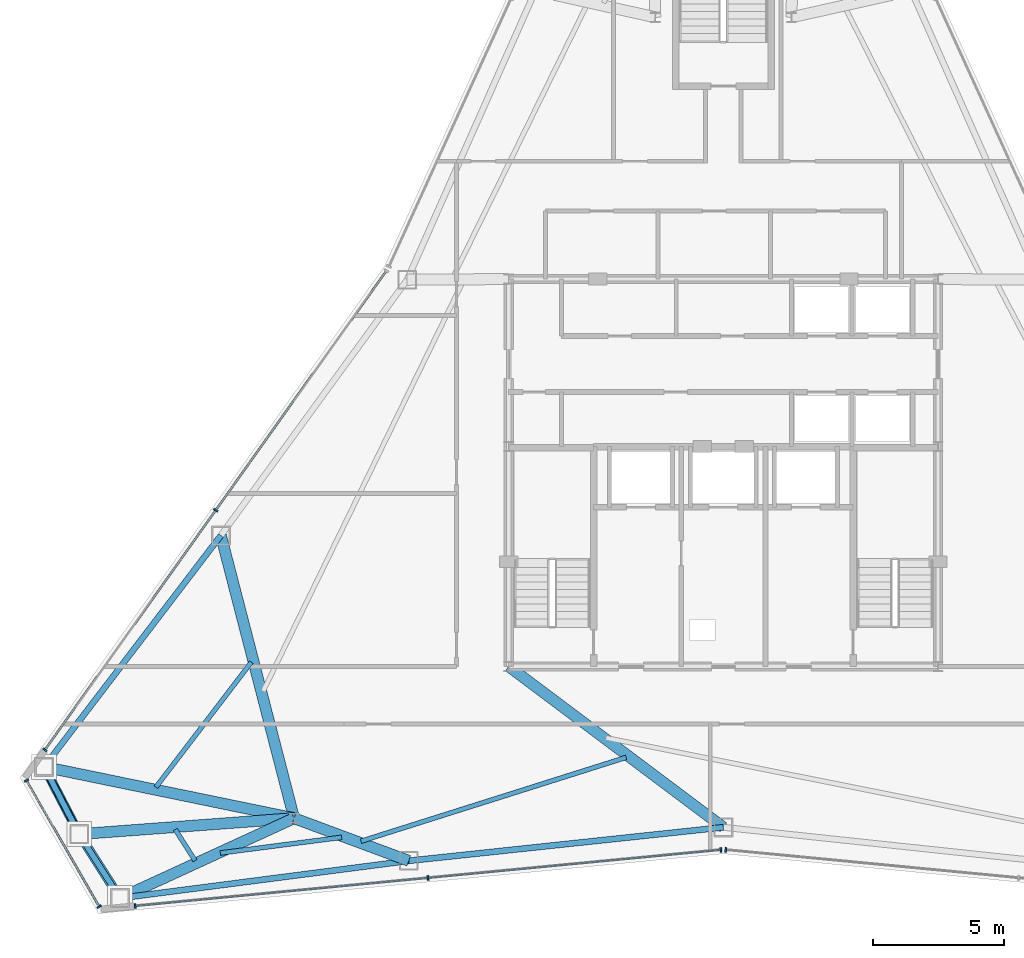
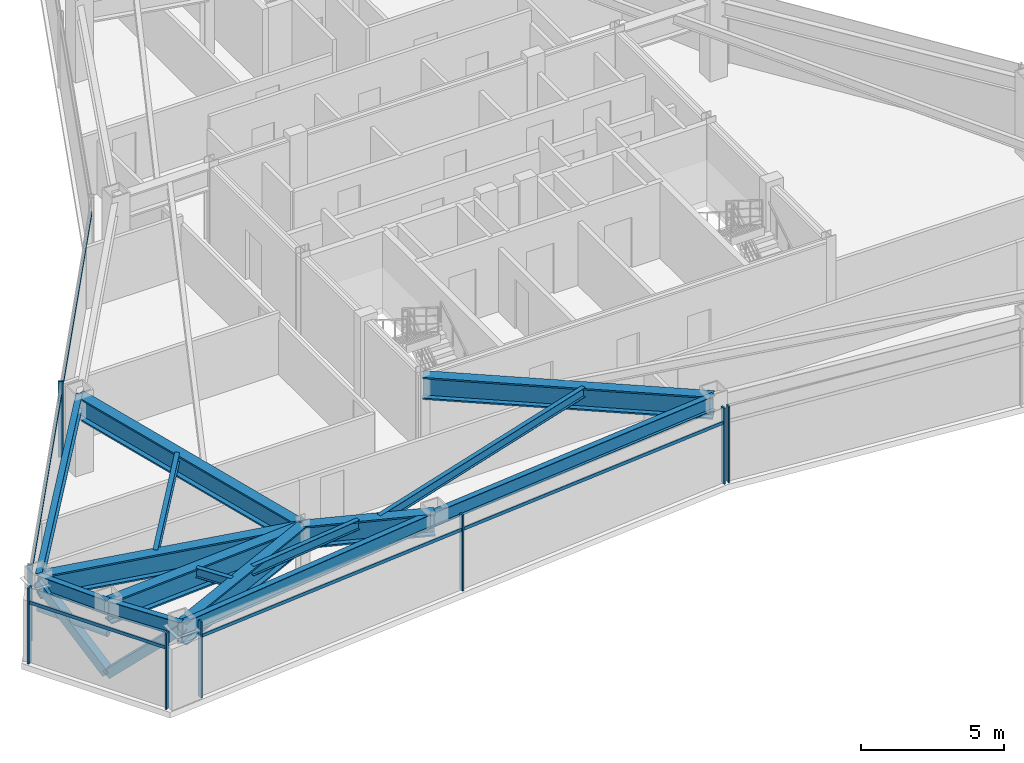
# One storey, part 3 of 12: 15 beams, 14 members, 4 elements without a shape of their own.
"""IFC4 building model written with IfcOpenShell, lengths in metres."""

from ifc_helpers import new_model, si_unit, direction, frame, origin, origin_2d, place, context, subcontext, project, spatial, rectangle, hollow_rectangle, hollow_circle, i_section, extrude, source, transform, mapped, material, layer, layer_set, material_profile, profile_set, type_object, type_shapes, element, aggregate, save


model = new_model("IFC4")

# Units and contexts
model_context = context("Model", 3, precision=1e-05, world=origin(), true_north=direction((0.0, 1.0)))
body_context = subcontext(model_context, "Body", "Model", "MODEL_VIEW")
ifc_project = project(units=[si_unit("LENGTHUNIT", "METRE"), si_unit("AREAUNIT", "SQUARE_METRE"), si_unit("VOLUMEUNIT", "CUBIC_METRE"), si_unit("PLANEANGLEUNIT", "RADIAN"), si_unit("MASSUNIT", "GRAM", prefix="KILO")], contexts=[model_context])

# Site, building, storey
site_placement = place(None, origin())
site = spatial("IfcSite", under=ifc_project, at=site_placement, CompositionType="ELEMENT")
building_placement = place(site_placement, origin())
building = spatial("IfcBuilding", under=site, at=building_placement, Name="Varakhsha Concourse Tower", CompositionType="ELEMENT")
storey_placement = place(building_placement, frame((0.0, 0.0, 243.39990234375)))
storey = spatial("IfcBuildingStorey", under=building, at=storey_placement, Name="L69", CompositionType="ELEMENT", Elevation=243.39990234375)

# Beams
ifc_material_1 = material(Name="Structural Steel ASTM A992 Grade 50", Category="steel")
ifc_material_profile_1 = material_profile(ifc_material_1, i_section(OverallWidth=0.177978515625, OverallDepth=0.406982421875, WebThickness=0.008056640625, FlangeThickness=0.012939453125, at=origin_2d()), Name="W16X40")
ifc_profile_set_1 = profile_set([ifc_material_profile_1], Name="Structural Steel ASTM A992 Grade 50")
beam_type_1 = type_object("IfcBeamType", Name="BM-JST-W16X40", PredefinedType="JOIST", material=ifc_profile_set_1)
beam_1_placement = place(storey_placement, frame((21.966796875, 16.562744140625, 3.046630859375), z_axis=(-0.606952330992, -0.794738238606, 0.0), x_axis=(0.794738238606, -0.606952330992, 0.0)))
element("IfcBeam", 1, at=beam_1_placement, inside=storey, type_object=beam_type_1, Name="BM-TJST-L69-06", PredefinedType="JOIST", context=body_context, shape_type="SweptSolid", body=[
    extrude(i_section(OverallWidth=0.177978515625, OverallDepth=0.406982421875, WebThickness=0.008056640625, FlangeThickness=0.012939453125, at=origin_2d()), origin(), (0.0, 0.0, 1.0), 6.009033203125),
])
beam_2_placement = place(storey_placement, frame((19.0615234375, 10.16650390625, 3.046630859375), z_axis=(0.537325488546, -0.84337495775, 0.0), x_axis=(0.84337495775, 0.537325488546, 0.0)))
element("IfcBeam", 2, at=beam_2_placement, inside=storey, type_object=beam_type_1, Name="BM-TJST-L69-08", PredefinedType="JOIST", context=body_context, shape_type="SweptSolid", body=[
    extrude(i_section(OverallWidth=0.177978515625, OverallDepth=0.406982421875, WebThickness=0.008056640625, FlangeThickness=0.012939453125, at=origin_2d()), origin(), (0.0, 0.0, 1.0), 1.404052734375),
])
beam_3_placement = place(storey_placement, frame((20.7822265625, 9.270263671875, 3.046630859375), z_axis=(0.991739333066, 0.128269619359, 0.0), x_axis=(-0.128269619359, 0.991739333066, 0.0)))
element("IfcBeam", 3, at=beam_3_placement, inside=storey, type_object=beam_type_1, Name="BM-TJST-L69-09", PredefinedType="JOIST", context=body_context, shape_type="SweptSolid", body=[
    extrude(i_section(OverallWidth=0.177978515625, OverallDepth=0.406982421875, WebThickness=0.008056640625, FlangeThickness=0.012939453125, at=origin_2d()), origin(), (0.0, 0.0, 1.0), 4.674560546875),
])
beam_4_placement = place(storey_placement, frame((26.15771484375, 9.721923828125, 3.046630859375), z_axis=(0.953490927585, 0.301421716226, 0.0), x_axis=(-0.301421716226, 0.953490927585, 0.0)))
element("IfcBeam", 4, at=beam_4_placement, inside=storey, type_object=beam_type_1, Name="BM-TJST-L69-10", PredefinedType="JOIST", context=body_context, shape_type="SweptSolid", body=[
    extrude(i_section(OverallWidth=0.177978515625, OverallDepth=0.406982421875, WebThickness=0.008056640625, FlangeThickness=0.012939453125, at=origin_2d()), origin(), (0.0, 0.0, 1.0), 10.62353515625),
])
ifc_material_profile_2 = material_profile(ifc_material_1, i_section(OverallWidth=0.423095703125, OverallDepth=0.947998046875, WebThickness=0.0380859375, FlangeThickness=0.06396484375, at=origin_2d()), Name="W36X302")
ifc_profile_set_2 = profile_set([ifc_material_profile_2], Name="Structural Steel ASTM A992 Grade 50")
beam_type_2 = type_object("IfcBeamType", Name="BM-OUTR-W36X302", PredefinedType="USERDEFINED", material=ifc_profile_set_2)
beam_5_placement = place(storey_placement, frame((23.60009765625, 10.60009765625, 2.776123046875), z_axis=(-0.250634171989, 0.968081872484, 0.0), x_axis=(-0.968081872484, -0.250634171989, 0.0)))
element("IfcBeam", 5, at=beam_5_placement, inside=storey, type_object=beam_type_2, Name="L69 Radial Floor Girder 06", ObjectType="GIRDER", PredefinedType="USERDEFINED", context=body_context, shape_type="SweptSolid", body=[
    extrude(i_section(OverallWidth=0.423095703125, OverallDepth=0.947998046875, WebThickness=0.0380859375, FlangeThickness=0.06396484375, at=origin_2d()), origin(), (0.0, 0.0, 1.0), 11.16015625),
])
beam_6_placement = place(storey_placement, frame((23.60009765625, 10.60009765625, 2.776123046875), z_axis=(-0.979503861801, 0.201425382503, 0.0), x_axis=(-0.201425382503, -0.979503861801, 0.0)))
element("IfcBeam", 6, at=beam_6_placement, inside=storey, type_object=beam_type_2, Name="L69 Radial Floor Girder 07", ObjectType="GIRDER", PredefinedType="USERDEFINED", context=body_context, shape_type="SweptSolid", body=[
    extrude(i_section(OverallWidth=0.423095703125, OverallDepth=0.947998046875, WebThickness=0.0380859375, FlangeThickness=0.06396484375, at=origin_2d()), origin(), (0.0, 0.0, 1.0), 9.74853515625),
])
beam_7_placement = place(storey_placement, frame((23.60009765625, 10.60009765625, 2.776123046875), z_axis=(-0.997263464351, -0.073929579132, 0.0), x_axis=(0.073929579132, -0.997263464351, 0.0)))
element("IfcBeam", 7, at=beam_7_placement, inside=storey, type_object=beam_type_2, Name="L69 Radial Floor Girder 08", ObjectType="GIRDER", PredefinedType="USERDEFINED", context=body_context, shape_type="SweptSolid", body=[
    extrude(i_section(OverallWidth=0.423095703125, OverallDepth=0.947998046875, WebThickness=0.0380859375, FlangeThickness=0.06396484375, at=origin_2d()), origin(), (0.0, 0.0, 1.0), 8.232666015625),
])
beam_8_placement = place(storey_placement, frame((23.60009765625, 10.60009765625, 2.776123046875), z_axis=(-0.908783517298, -0.417267921948, 0.0), x_axis=(0.417267921948, -0.908783517298, 0.0)))
element("IfcBeam", 8, at=beam_8_placement, inside=storey, type_object=beam_type_2, Name="L69 Radial Floor Girder 09", ObjectType="GIRDER", PredefinedType="USERDEFINED", context=body_context, shape_type="SweptSolid", body=[
    extrude(i_section(OverallWidth=0.423095703125, OverallDepth=0.947998046875, WebThickness=0.0380859375, FlangeThickness=0.06396484375, at=origin_2d()), origin(), (0.0, 0.0, 1.0), 7.319580078125),
])
beam_9_placement = place(storey_placement, frame((23.60009765625, 10.60009765625, 2.776123046875), z_axis=(0.937398468599, -0.348258684125, 0.0), x_axis=(0.348258684125, 0.937398468599, 0.0)))
element("IfcBeam", 9, at=beam_9_placement, inside=storey, type_object=beam_type_2, Name="L69 Radial Floor Girder 10", ObjectType="GIRDER", PredefinedType="USERDEFINED", context=body_context, shape_type="SweptSolid", body=[
    extrude(i_section(OverallWidth=0.423095703125, OverallDepth=0.947998046875, WebThickness=0.0380859375, FlangeThickness=0.06396484375, at=origin_2d()), origin(), (0.0, 0.0, 1.0), 4.67236328125),
])
beam_10_placement = place(storey_placement, frame((31.800048828125, 16.39990234375, 2.776123046875), z_axis=(0.800105756753, -0.5998589651, 0.0), x_axis=(0.5998589651, 0.800105756753, 0.0)))
element("IfcBeam", 10, at=beam_10_placement, inside=storey, type_object=beam_type_2, Name="L69 Radial Floor Girder 11", ObjectType="GIRDER", PredefinedType="USERDEFINED", context=body_context, shape_type="SweptSolid", body=[
    extrude(i_section(OverallWidth=0.423095703125, OverallDepth=0.947998046875, WebThickness=0.0380859375, FlangeThickness=0.06396484375, at=origin_2d()), origin(), (0.0, 0.0, 1.0), 10.24853515625),
])
ifc_material_profile_3 = material_profile(ifc_material_1, i_section(OverallWidth=0.22900390625, OverallDepth=0.612060546875, WebThickness=0.011962890625, FlangeThickness=0.02001953125, at=origin_2d()), Name="W24X84")
ifc_profile_set_3 = profile_set([ifc_material_profile_3], Name="Structural Steel ASTM A992 Grade 50")
beam_type_3 = type_object("IfcBeamType", Name="BM-SPAN-W24X84", PredefinedType="SPANDREL", material=ifc_profile_set_3)
beam_11_placement = place(storey_placement, frame((20.802978515625, 21.404052734375, 2.944091796875), z_axis=(-0.606965274868, -0.794728353027, 0.0), x_axis=(0.794728353027, -0.606965274868, 0.0)))
element("IfcBeam", 11, at=beam_11_placement, inside=storey, type_object=beam_type_3, Name="BM-SPAN-L69-06", PredefinedType="SPANDREL", context=body_context, shape_type="SweptSolid", body=[
    extrude(i_section(OverallWidth=0.22900390625, OverallDepth=0.612060546875, WebThickness=0.011962890625, FlangeThickness=0.02001953125, at=origin_2d()), origin(), (0.0, 0.0, 1.0), 11.123779296875),
])
beam_12_placement = place(storey_placement, frame((14.05126953125, 12.563720703125, 2.944091796875), z_axis=(0.461636364541, -0.887069257123, 0.0), x_axis=(0.887069257123, 0.461636364541, 0.0)))
element("IfcBeam", 12, at=beam_12_placement, inside=storey, type_object=beam_type_3, Name="BM-SPAN-L69-07", PredefinedType="SPANDREL", context=body_context, shape_type="SweptSolid", body=[
    extrude(i_section(OverallWidth=0.22900390625, OverallDepth=0.612060546875, WebThickness=0.011962890625, FlangeThickness=0.02001953125, at=origin_2d()), origin(), (0.0, 0.0, 1.0), 2.899658203125),
])
beam_13_placement = place(storey_placement, frame((15.389892578125, 9.991455078125, 2.944091796875), z_axis=(0.537387469164, -0.843335465865, 0.0), x_axis=(0.843335465865, 0.537387469164, 0.0)))
element("IfcBeam", 13, at=beam_13_placement, inside=storey, type_object=beam_type_3, Name="BM-SPAN-L69-08", PredefinedType="SPANDREL", context=body_context, shape_type="SweptSolid", body=[
    extrude(i_section(OverallWidth=0.22900390625, OverallDepth=0.612060546875, WebThickness=0.011962890625, FlangeThickness=0.02001953125, at=origin_2d()), origin(), (0.0, 0.0, 1.0), 2.89990234375),
])
beam_14_placement = place(storey_placement, frame((16.9482421875, 7.5458984375, 2.944091796875), z_axis=(0.991737290812, 0.128285408418, 0.0), x_axis=(-0.128285408418, 0.991737290812, 0.0)))
element("IfcBeam", 14, at=beam_14_placement, inside=storey, type_object=beam_type_3, Name="BM-SPAN-L69-09", PredefinedType="SPANDREL", context=body_context, shape_type="SweptSolid", body=[
    extrude(i_section(OverallWidth=0.22900390625, OverallDepth=0.612060546875, WebThickness=0.011962890625, FlangeThickness=0.02001953125, at=origin_2d()), origin(), (0.0, 0.0, 1.0), 11.12353515625),
])
beam_15_placement = place(storey_placement, frame((27.97998046875, 8.972900390625, 2.944091796875), z_axis=(0.994383939653, 0.1058327953, 0.0), x_axis=(-0.1058327953, 0.994383939653, 0.0)))
element("IfcBeam", 15, at=beam_15_placement, inside=storey, type_object=beam_type_3, Name="BM-SPAN-L69-10", PredefinedType="SPANDREL", context=body_context, shape_type="SweptSolid", body=[
    extrude(i_section(OverallWidth=0.22900390625, OverallDepth=0.612060546875, WebThickness=0.011962890625, FlangeThickness=0.02001953125, at=origin_2d()), origin(), (0.0, 0.0, 1.0), 12.087890625),
])

# Members
ifc_material_2 = material(Name="Structural Steel ASTM A500 Grade C", Category="steel")
ifc_material_profile_4 = material_profile(ifc_material_2, hollow_rectangle(XDim=0.35009765625, YDim=0.35009765625, WallThickness=0.01611328125, at=origin_2d()), Name="HSS 350x350x16")
ifc_profile_set_4 = profile_set([ifc_material_profile_4], Name="Structural Steel ASTM A500 Grade C")
member_type_1 = type_object("IfcMemberType", Name="MB-TUBE-HSS350", PredefinedType="BRACE", material=ifc_profile_set_4)
shared_shape_1 = source(origin(), body_context, "Body", "SweptSolid", [
    extrude(hollow_rectangle(XDim=0.35009765625, YDim=0.35009765625, WallThickness=0.01611328125, at=origin_2d()), origin(), (0.0, 0.0, 1.0), 4.052001953125),
])
type_shapes(member_type_1, [shared_shape_1])
for number, where, z_axis, x_axis, name in (
    (16, (15.389892578125, 9.991455078125, 0.1201171875), (-0.330370119642, 0.634831220234, 0.698458950736), (-0.887069257123, -0.461636364541, 0.0), "L69 Wind-Corner Tube Brace B03"),
    (17, (15.389892578125, 9.991455078125, 0.1201171875), (0.384589647292, -0.603546059365, 0.69844323851), (0.843335465865, 0.537387469164, 0.0), "L69 Wind-Corner Tube Brace B04"),
):
    element("IfcMember", number, at=place(storey_placement, frame(where, z_axis=z_axis, x_axis=x_axis)), inside=storey, type_object=member_type_1, Name=name, PredefinedType="BRACE", context=body_context, shape_type="MappedRepresentation", body=[
        mapped(shared_shape_1, transform((0.0, 0.0, 0.0), scale=1.0)),
    ])
ifc_material_profile_5 = material_profile(ifc_material_2, hollow_circle(Radius=0.136474609375, WallThickness=0.011962890625, at=origin_2d()), Name="CHS 273x12")
ifc_profile_set_5 = profile_set([ifc_material_profile_5], Name="Structural Steel ASTM A500 Grade C")
member_type_2 = type_object("IfcMemberType", Name="MB-WIND-CHS273", PredefinedType="COLLAR", material=ifc_profile_set_5)
shared_shape_2 = source(origin(), body_context, "Body", "SweptSolid", [
    extrude(hollow_circle(Radius=0.136474609375, WallThickness=0.011962890625, at=origin_2d()), origin(), (0.0, 0.0, 1.0), 2.899658203125),
])
type_shapes(member_type_2, [shared_shape_2])
member_1_placement = place(storey_placement, frame((14.05126953125, 12.563720703125, 1.800048828125), z_axis=(0.461636364541, -0.887069257123, 0.0), x_axis=(0.887069257123, 0.461636364541, 0.0)))
element("IfcMember", 18, at=member_1_placement, inside=storey, type_object=member_type_2, Name="L69 Wind-Corner Collar Tie 2", PredefinedType="COLLAR", context=body_context, shape_type="MappedRepresentation", body=[
    mapped(shared_shape_2, transform((0.0, 0.0, 0.0), scale=1.0)),
])

# Curtain wall, members
ifc_material_3 = material(Name="Anodised Bronze Architectural Aluminium AA 6063-T6", Category="aluminium")
ifc_layer = layer(ifc_material_3, 0.199951171875, Name="CW-SYS-05")
ifc_layer_set = layer_set([ifc_layer], Name="Anodised Bronze Architectural Aluminium AA 6063-T6")
curtain_wall_type = type_object("IfcCurtainWallType", Name="CW-SYS-05", PredefinedType="NOTDEFINED", material=ifc_layer_set)
curtain_wall_1_placement = place(storey_placement, origin())
curtain_wall_1 = element("IfcCurtainWall", 19, at=curtain_wall_1_placement, inside=storey, type_object=curtain_wall_type, Name="L69 Crystal Curtain Wall F3", PredefinedType="NOTDEFINED")
ifc_material_profile_6 = material_profile(ifc_material_3, rectangle(XDim=0.06494140625, YDim=0.179931640625, at=origin_2d()), Name="CWM-180X65")
ifc_profile_set_6 = profile_set([ifc_material_profile_6], Name="Anodised Bronze Architectural Aluminium AA 6063-T6")
member_type_3 = type_object("IfcMemberType", Name="CWM-180X65", PredefinedType="MULLION", material=ifc_profile_set_6)
shared_shape_3 = source(origin(), body_context, "Body", "SweptSolid", [
    extrude(rectangle(XDim=0.06494140625, YDim=0.179931640625, at=origin_2d()), origin(), (0.0, 0.0, 1.0), 3.25),
])
type_shapes(member_type_3, [shared_shape_3])
member_2_placement = place(storey_placement, frame((14.082275390625, 13.213134765625, 0.0), z_axis=(0.0, 0.0, 1.0), x_axis=(0.580306455883, 0.814398193306, 0.0)))
member_2 = element("IfcMember", 20, at=member_2_placement, type_object=member_type_3, Name="CW-L69-F3 Mullion 00", PredefinedType="MULLION", context=body_context, shape_type="MappedRepresentation", body=[
    mapped(shared_shape_3, transform((0.0, 0.0, 0.0), scale=1.0)),
])
member_3_placement = place(storey_placement, frame((20.60546875, 22.367431640625, 0.0), z_axis=(0.0, 0.0, 1.0), x_axis=(0.580306455883, 0.814398193306, 0.0)))
member_3 = element("IfcMember", 21, at=member_3_placement, type_object=member_type_3, Name="CW-L69-F3 Mullion 01", PredefinedType="MULLION", context=body_context, shape_type="MappedRepresentation", body=[
    mapped(shared_shape_3, transform((0.0, 0.0, 0.0), scale=1.0)),
])

curtain_wall_2_placement = place(storey_placement, origin())
curtain_wall_2 = element("IfcCurtainWall", 22, at=curtain_wall_2_placement, inside=storey, type_object=curtain_wall_type, Name="L69 Chamfer Curtain Wall F4", PredefinedType="NOTDEFINED")
member_4_placement = place(storey_placement, frame((16.156494140625, 7.223876953125, 0.0), z_axis=(0.0, 0.0, 1.0), x_axis=(-0.499992442484, 0.866029767075, 0.0)))
member_4 = element("IfcMember", 23, at=member_4_placement, type_object=member_type_3, Name="CW-L69-F4 Mullion 00", PredefinedType="MULLION", context=body_context, shape_type="MappedRepresentation", body=[
    mapped(shared_shape_3, transform((0.0, 0.0, 0.0), scale=1.0)),
])
member_5_placement = place(storey_placement, frame((13.37646484375, 12.0390625, 0.0), z_axis=(0.0, 0.0, 1.0), x_axis=(-0.499992442484, 0.866029767075, 0.0)))
member_5 = element("IfcMember", 24, at=member_5_placement, type_object=member_type_3, Name="CW-L69-F4 Mullion 01", PredefinedType="MULLION", context=body_context, shape_type="MappedRepresentation", body=[
    mapped(shared_shape_3, transform((0.0, 0.0, 0.0), scale=1.0)),
])

curtain_wall_3_placement = place(storey_placement, origin())
curtain_wall_3 = element("IfcCurtainWall", 25, at=curtain_wall_3_placement, inside=storey, type_object=curtain_wall_type, Name="L69 Crystal Curtain Wall F5", PredefinedType="NOTDEFINED")
member_6_placement = place(storey_placement, frame((39.905029296875, 9.391845703125, 0.0), z_axis=(0.0, 0.0, 1.0), x_axis=(-0.995442585703, -0.095362773497, 0.0)))
member_6 = element("IfcMember", 26, at=member_6_placement, type_object=member_type_3, Name="CW-L69-F5 Mullion 00", PredefinedType="MULLION", context=body_context, shape_type="MappedRepresentation", body=[
    mapped(shared_shape_3, transform((0.0, 0.0, 0.0), scale=1.0)),
])
member_7_placement = place(storey_placement, frame((28.715576171875, 8.31982421875, 0.0), z_axis=(0.0, 0.0, 1.0), x_axis=(-0.995442585703, -0.095362773497, 0.0)))
member_7 = element("IfcMember", 27, at=member_7_placement, type_object=member_type_3, Name="CW-L69-F5 Mullion 01", PredefinedType="MULLION", context=body_context, shape_type="MappedRepresentation", body=[
    mapped(shared_shape_3, transform((0.0, 0.0, 0.0), scale=1.0)),
])
member_8_placement = place(storey_placement, frame((17.526123046875, 7.248046875, 0.0), z_axis=(0.0, 0.0, 1.0), x_axis=(-0.995442585703, -0.095362773497, 0.0)))
member_8 = element("IfcMember", 28, at=member_8_placement, type_object=member_type_3, Name="CW-L69-F5 Mullion 02", PredefinedType="MULLION", context=body_context, shape_type="MappedRepresentation", body=[
    mapped(shared_shape_3, transform((0.0, 0.0, 0.0), scale=1.0)),
])

# Curtain wall, member
curtain_wall_4_placement = place(storey_placement, origin())
curtain_wall_4 = element("IfcCurtainWall", 29, at=curtain_wall_4_placement, inside=storey, type_object=curtain_wall_type, Name="L69 Crystal Curtain Wall F6", PredefinedType="NOTDEFINED")
member_9_placement = place(storey_placement, frame((40.094970703125, 9.391845703125, 0.0), z_axis=(0.0, 0.0, 1.0), x_axis=(-0.995442585703, 0.095362773497, 0.0)))
member_9 = element("IfcMember", 30, at=member_9_placement, type_object=member_type_3, Name="CW-L69-F6 Mullion 02", PredefinedType="MULLION", context=body_context, shape_type="MappedRepresentation", body=[
    mapped(shared_shape_3, transform((0.0, 0.0, 0.0), scale=1.0)),
])
aggregate(curtain_wall_4, [member_9])

# Member
ifc_material_profile_7 = material_profile(ifc_material_3, rectangle(XDim=0.06005859375, YDim=0.139892578125, at=origin_2d()), Name="CWT-140X60")
ifc_profile_set_7 = profile_set([ifc_material_profile_7], Name="Anodised Bronze Architectural Aluminium AA 6063-T6")
member_type_4 = type_object("IfcMemberType", Name="CWT-140X60", PredefinedType="USERDEFINED", material=ifc_profile_set_7)
shared_shape_4 = source(origin(), body_context, "Body", "SweptSolid", [
    extrude(rectangle(XDim=0.06005859375, YDim=0.139892578125, at=origin_2d()), origin(), (0.0, 0.0, 1.0), 5.56005859375),
])
member_10_placement = place(storey_placement, frame((16.156494140625, 7.223876953125, 2.60009765625), z_axis=(-0.49999738653, 0.866026912667, 0.0), x_axis=(-0.866026912667, -0.49999738653, 0.0)))
member_10 = element("IfcMember", 31, at=member_10_placement, type_object=member_type_4, Name="CW-L69-F4 Transom 01", ObjectType="TRANSOM", PredefinedType="USERDEFINED", context=body_context, shape_type="MappedRepresentation", body=[
    mapped(shared_shape_4, transform((0.0, 0.0, 0.0), scale=1.0)),
])

aggregate(curtain_wall_2, [member_4, member_5, member_10])

shared_shape_5 = source(origin(), body_context, "Body", "SweptSolid", [
    extrude(rectangle(XDim=0.06005859375, YDim=0.139892578125, at=origin_2d()), origin(), (0.0, 0.0, 1.0), 22.4814453125),
])
type_shapes(member_type_4, [shared_shape_4, shared_shape_5])
member_11_placement = place(storey_placement, frame((14.082275390625, 13.213134765625, 2.60009765625), z_axis=(0.580307112199, 0.814397725642, 0.0), x_axis=(-0.814397725642, 0.580307112199, 0.0)))
member_11 = element("IfcMember", 32, at=member_11_placement, type_object=member_type_4, Name="CW-L69-F3 Transom 01", ObjectType="TRANSOM", PredefinedType="USERDEFINED", context=body_context, shape_type="MappedRepresentation", body=[
    mapped(shared_shape_5, transform((0.0, 0.0, 0.0), scale=1.0)),
])

aggregate(curtain_wall_1, [member_2, member_3, member_11])

member_12_placement = place(storey_placement, frame((39.905029296875, 9.391845703125, 2.60009765625), z_axis=(-0.995442950153, -0.095358969119, 0.0), x_axis=(0.095358969119, -0.995442950153, 0.0)))
member_12 = element("IfcMember", 33, at=member_12_placement, type_object=member_type_4, Name="CW-L69-F5 Transom 01", ObjectType="TRANSOM", PredefinedType="USERDEFINED", context=body_context, shape_type="MappedRepresentation", body=[
    mapped(shared_shape_5, transform((0.0, 0.0, 0.0), scale=1.0)),
])

aggregate(curtain_wall_3, [member_6, member_7, member_8, member_12])

save(model, "model.ifc")
